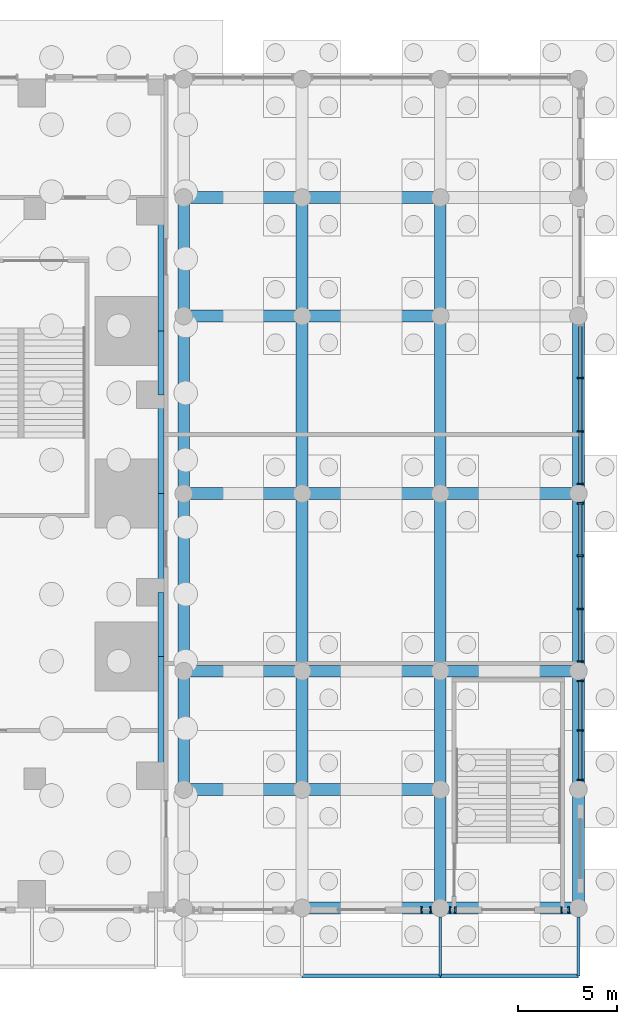
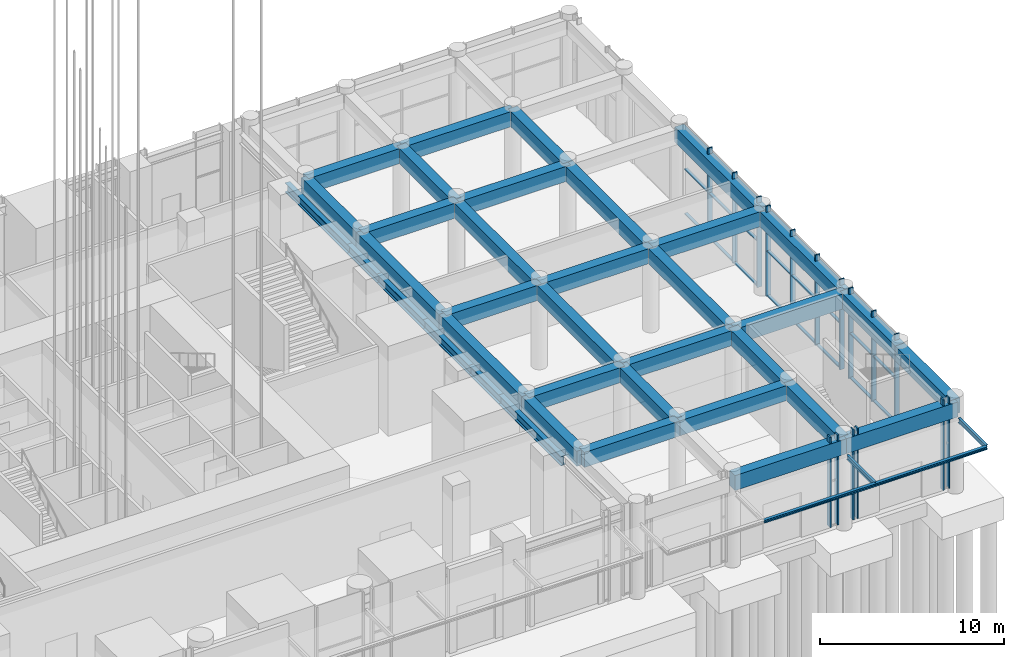
# One storey, part 9 of 46: 41 beams, 32 members, 6 elements without a shape of their own.
"""IFC4 building model written with IfcOpenShell, lengths in metres."""

import ifcopenshell
import ifcopenshell.guid

model = None  # the IFC model being written
_history = None  # IfcOwnerHistory: only IFC2X3 demands one
_inside = {}  # id of a spatial element -> (the spatial element, [elements in it])
_under = {}  # id of a project, library or spatial element -> (it, [spatial elements below it])
_declared = {}  # id of a project -> (the project, [libraries it declares])
_typed = {}  # id of a type object -> (the type object, [elements of that type])
_made_of = {}  # id of a material, layer set ... -> (it, [elements and type objects made of it])


def new_model(schema):
    """Start an empty IFC model of exactly this schema.

    Asked for "IFC4X3", IfcOpenShell would pick the latest addendum, in which some entities
    have other attributes; the version numbers below select the first issue.
    IFC2X3 requires an IfcOwnerHistory on every rooted entity: one is made here for all.
    """
    global model, _history
    if schema == "IFC4X3":
        model = ifcopenshell.file(schema_version=(4, 3, 0, 0))
    else:
        model = ifcopenshell.file(schema=schema)
    _inside.clear()
    _under.clear()
    _declared.clear()
    _typed.clear()
    _made_of.clear()
    _history = None
    if model.schema == "IFC2X3":
        org = make("IfcOrganization", Name="unknown")
        user = make(
            "IfcPersonAndOrganization",
            ThePerson=make("IfcPerson", FamilyName="unknown"),
            TheOrganization=org,
        )
        app = make(
            "IfcApplication",
            ApplicationDeveloper=org,
            Version="unknown",
            ApplicationFullName="unknown",
            ApplicationIdentifier="unknown",
        )
        _history = make(
            "IfcOwnerHistory",
            OwningUser=user,
            OwningApplication=app,
            ChangeAction="ADDED",
            CreationDate=0,
        )
    return model


def make(cls, **values):
    """One entity of the class cls with the attributes given. An attribute that is None is left unset."""
    return model.create_entity(
        cls, **{name: value for name, value in values.items() if value is not None}
    )


def rooted(cls, **values):
    """An entity with a GlobalId (a new one), such as an element, a storey or a relation."""
    return make(cls, GlobalId=ifcopenshell.guid.new(), OwnerHistory=_history, **values)


def si_unit(unit_type, name, prefix=None):
    """IfcSIUnit, for example si_unit("LENGTHUNIT", "METRE", prefix="MILLI")."""
    return make("IfcSIUnit", UnitType=unit_type, Prefix=prefix, Name=name)


def assignment(units):
    """IfcUnitAssignment: the units of a project."""
    return None if units is None else make("IfcUnitAssignment", Units=units)


def point(xyz):
    """IfcCartesianPoint."""
    return None if xyz is None else make("IfcCartesianPoint", Coordinates=xyz)


def direction(xyz):
    """IfcDirection."""
    return None if xyz is None else make("IfcDirection", DirectionRatios=xyz)


def frame(location, z_axis=None, x_axis=None):
    """IfcAxis2Placement3D, a coordinate frame: its origin and axes. An axis left out is left unset."""
    return make(
        "IfcAxis2Placement3D",
        Location=point(location),
        Axis=direction(z_axis),
        RefDirection=direction(x_axis),
    )


def frame_2d(location, x_axis=None):
    """IfcAxis2Placement2D, a coordinate frame in the plane: its origin and x axis."""
    return make(
        "IfcAxis2Placement2D", Location=point(location), RefDirection=direction(x_axis)
    )


def origin():
    """The frame at (0, 0, 0) with its axes left unset."""
    return frame((0.0, 0.0, 0.0))


def origin_2d():
    """The frame at (0, 0) in the plane with its x axis left unset."""
    return frame_2d((0.0, 0.0))


def place(relative_to, where):
    """IfcLocalPlacement: puts the frame where relative to a parent placement (None: the world)."""
    return make(
        "IfcLocalPlacement", PlacementRelTo=relative_to, RelativePlacement=where
    )


def context(
    kind, dimensions, precision=None, world=None, true_north=None, identifier=None
):
    """IfcGeometricRepresentationContext, for example the 3D "Model" context."""
    return make(
        "IfcGeometricRepresentationContext",
        ContextIdentifier=identifier,
        ContextType=kind,
        CoordinateSpaceDimension=dimensions,
        Precision=precision,
        WorldCoordinateSystem=world,
        TrueNorth=true_north,
    )


def subcontext(parent, identifier, kind, view, scale=None):
    """IfcGeometricRepresentationSubContext, for example "Body" below "Model"."""
    return make(
        "IfcGeometricRepresentationSubContext",
        ContextIdentifier=identifier,
        ContextType=kind,
        ParentContext=parent,
        TargetScale=scale,
        TargetView=view,
    )


def project(units=None, contexts=None):
    """IfcProject with its units and contexts."""
    return rooted(
        "IfcProject",
        Name="project",
        RepresentationContexts=contexts,
        UnitsInContext=assignment(units),
    )


def spatial(cls, under=None, at=None, **own):
    """A site, building, storey or space (cls), placed at a placement, below another one or the project."""
    s = rooted(cls, ObjectPlacement=at, **own)
    if under is not None:
        _under.setdefault(under.id(), (under, []))[1].append(s)
    return s


def profile(cls, at=None, kind="AREA", **sizes):
    """A parametric profile (cls). Its sizes go by their IFC names, for example OverallWidth=200.0."""
    return make(cls, ProfileType=kind, Position=at, **sizes)


def rectangle(**sizes):
    """IfcRectangleProfileDef."""
    return profile("IfcRectangleProfileDef", **sizes)


def i_section(**sizes):
    """IfcIShapeProfileDef."""
    return profile("IfcIShapeProfileDef", **sizes)


def extrude(swept, where, along, depth):
    """IfcExtrudedAreaSolid: the profile swept, set in the frame where, extruded along a direction by depth."""
    return make(
        "IfcExtrudedAreaSolid",
        SweptArea=swept,
        Position=where,
        ExtrudedDirection=direction(along),
        Depth=depth,
    )


def shape(context_of_items, identifier, shape_type, items):
    """IfcShapeRepresentation: the items that make up one representation, for example the "Body"."""
    return make(
        "IfcShapeRepresentation",
        ContextOfItems=context_of_items,
        RepresentationIdentifier=identifier,
        RepresentationType=shape_type,
        Items=items,
    )


def material(Name=None, Category=None):
    """IfcMaterial."""
    return make("IfcMaterial", Name=Name, Category=Category)


def material_profile(
    of_material, cross_section, Name=None, Category=None, Priority=None
):
    """IfcMaterialProfile: a cross section and its material."""
    return make(
        "IfcMaterialProfile",
        Name=Name,
        Material=of_material,
        Profile=cross_section,
        Priority=Priority,
        Category=Category,
    )


def profile_set(profiles, Name=None, composite=None):
    """IfcMaterialProfileSet."""
    return make(
        "IfcMaterialProfileSet",
        Name=Name,
        MaterialProfiles=profiles,
        CompositeProfile=composite,
    )


def made_of(thing, what):
    """Note that an element or type object is made of a material, layer set ...; save() writes the relation."""
    if what is not None:
        _made_of.setdefault(what.id(), (what, []))[1].append(thing)
    return thing


def type_object(cls, material=None, **own):
    """A type object (cls), such as IfcWallType, which elements share."""
    return made_of(rooted(cls, **own), material)


def element(
    cls,
    number,
    at=None,
    inside=None,
    cuts=None,
    type_object=None,
    material=None,
    context=None,
    identifier="Body",
    shape_type=None,
    held_by="IfcProductDefinitionShape",
    body=None,
    shapes=None,
    **own,
):
    """One element of the class cls, such as IfcWall. Its Tag is "e" and its number.

    at: its placement. inside: the storey or other place that contains it. cuts: it is an
    opening in that element (IfcRelVoidsElement). A single representation is given by context,
    identifier, shape_type and body (its items); several are given by shapes. held_by: the class
    of the entity that holds the representations. save() writes the other relations.
    """
    e = rooted(cls, Tag="e%d" % number, ObjectPlacement=at, **own)
    if body is not None:
        shapes = [shape(context, identifier, shape_type, body)]
    if shapes is not None:
        e.Representation = make(held_by, Representations=shapes)
    if inside is not None:
        _inside.setdefault(inside.id(), (inside, []))[1].append(e)
    if cuts is not None:
        rooted(
            "IfcRelVoidsElement", RelatingBuildingElement=cuts, RelatedOpeningElement=e
        )
    if type_object is not None:
        _typed.setdefault(type_object.id(), (type_object, []))[1].append(e)
    return made_of(e, material)


def aggregate(whole, parts):
    """IfcRelAggregates: a whole, such as a stair, and the parts it consists of."""
    return rooted("IfcRelAggregates", RelatingObject=whole, RelatedObjects=parts)


def save(model, path):
    """Write the relations noted so far, then the file.

    IfcRelAggregates (storeys below a building ...), IfcRelContainedInSpatialStructure (elements
    in a storey), IfcRelDefinesByType, IfcRelAssociatesMaterial and IfcRelDeclares: one each for
    every whole, place, type object, material and project.
    """
    for whole, parts in _under.values():
        aggregate(whole, parts)
    for where, things in _inside.values():
        rooted(
            "IfcRelContainedInSpatialStructure",
            RelatedElements=things,
            RelatingStructure=where,
        )
    for kind, things in _typed.values():
        rooted("IfcRelDefinesByType", RelatedObjects=things, RelatingType=kind)
    for what, things in _made_of.values():
        rooted("IfcRelAssociatesMaterial", RelatedObjects=things, RelatingMaterial=what)
    for by, libraries in _declared.values():
        rooted("IfcRelDeclares", RelatingContext=by, RelatedDefinitions=libraries)
    model.write(path)


model = new_model("IFC4")

# Units and contexts
model_context = context("Model", 3, precision=1e-05, world=origin(), true_north=direction((0.0, 1.0)))
body_context = subcontext(model_context, "Body", "Model", "MODEL_VIEW")
ifc_project = project(units=[si_unit("LENGTHUNIT", "METRE"), si_unit("AREAUNIT", "SQUARE_METRE"), si_unit("VOLUMEUNIT", "CUBIC_METRE"), si_unit("PLANEANGLEUNIT", "RADIAN"), si_unit("MASSUNIT", "GRAM", prefix="KILO")], contexts=[model_context])

# Site, building, storey
site_placement = place(None, origin())
site = spatial("IfcSite", under=ifc_project, at=site_placement, CompositionType="ELEMENT")
building_placement = place(site_placement, origin())
building = spatial("IfcBuilding", under=site, at=building_placement, Name="Svetlomir Tower", CompositionType="ELEMENT")
storey_placement = place(building_placement, origin())
storey = spatial("IfcBuildingStorey", under=building, at=storey_placement, Name="L00", CompositionType="ELEMENT", Elevation=0.0)

# Beams
ifc_material_1 = material(Name="Steel S355", Category="steel")
ifc_material_profile_1 = material_profile(ifc_material_1, i_section(OverallWidth=0.14990234375, OverallDepth=0.300048828125, WebThickness=0.007080078125, FlangeThickness=0.0107421875, FilletRadius=0.014892578125, at=origin_2d()), Name="IPE 300")
ifc_profile_set_1 = profile_set([ifc_material_profile_1], Name="Steel S355")
beam_type_1 = type_object("IfcBeamType", Name="CANOPY CANTILEVER IPE 300", PredefinedType="BEAM", material=ifc_profile_set_1)
for number, where, z_axis, x_axis, name in (
    (1, (56.0, -0.449951171875, 4.5), (0.0, -1.0, 0.0), (1.0, 0.0, 0.0), "Canopy cantilever 56"),
    (2, (63.0, -0.449951171875, 4.5), (0.0, -1.0, 0.0), (1.0, 0.0, 0.0), "Canopy cantilever 63"),
):
    element("IfcBeam", number, at=place(storey_placement, frame(where, z_axis=z_axis, x_axis=x_axis)), inside=storey, type_object=beam_type_1, Name=name, PredefinedType="BEAM", context=body_context, shape_type="SweptSolid", body=[
        extrude(i_section(OverallWidth=0.14990234375, OverallDepth=0.300048828125, WebThickness=0.007080078125, FlangeThickness=0.0107421875, FilletRadius=0.014892578125, at=origin_2d()), origin(), (0.0, 0.0, 1.0), 3.0),
    ])
ifc_material_2 = material(Name="Steel S355", Category="steel")
ifc_material_profile_2 = material_profile(ifc_material_2, i_section(OverallWidth=0.199951171875, OverallDepth=0.18994140625, WebThickness=0.006591796875, FlangeThickness=0.010009765625, FilletRadius=0.01806640625, at=origin_2d()), Name="HEA 200")
ifc_profile_set_2 = profile_set([ifc_material_profile_2], Name="Steel S355")
beam_type_2 = type_object("IfcBeamType", Name="CANOPY EDGE BEAM HEA 200", PredefinedType="BEAM", material=ifc_profile_set_2)
for number, where, z_axis, x_axis, name in (
    (3, (49.0, -3.449951171875, 4.5), (1.0, 0.0, 0.0), (0.0, 1.0, 0.0), "Canopy edge beam 49 to 56"),
    (4, (56.0, -3.449951171875, 4.5), (1.0, 0.0, 0.0), (0.0, 1.0, 0.0), "Canopy edge beam 56 to 63"),
):
    element("IfcBeam", number, at=place(storey_placement, frame(where, z_axis=z_axis, x_axis=x_axis)), inside=storey, type_object=beam_type_2, Name=name, PredefinedType="BEAM", context=body_context, shape_type="SweptSolid", body=[
        extrude(i_section(OverallWidth=0.199951171875, OverallDepth=0.18994140625, WebThickness=0.006591796875, FlangeThickness=0.010009765625, FilletRadius=0.01806640625, at=origin_2d()), origin(), (0.0, 0.0, 1.0), 7.0),
    ])

# Curtain wall, members
ifc_material_3 = material(Name="Bronze anodised aluminium curtain wall", Category="aluminium")
curtain_wall_type = type_object("IfcCurtainWallType", Name="CURTAIN WALL CW5 PODIUM", PredefinedType="NOTDEFINED", material=ifc_material_3)
curtain_wall_1_placement = place(storey_placement, origin())
curtain_wall_1 = element("IfcCurtainWall", 5, at=curtain_wall_1_placement, inside=storey, type_object=curtain_wall_type, Name="Curtain wall CW5 L00", PredefinedType="NOTDEFINED")
ifc_material_4 = material(Name="Bronze anodised aluminium", Category="aluminium")
ifc_material_profile_3 = material_profile(ifc_material_4, rectangle(XDim=0.080078125, YDim=0.300048828125, at=origin_2d()), Name="AL 80x300")
ifc_profile_set_3 = profile_set([ifc_material_profile_3], Name="Bronze anodised aluminium 6063-T6")
member_type_1 = type_object("IfcMemberType", Name="CW5 MULLION 80x300", PredefinedType="MULLION", material=ifc_profile_set_3)
member_1_placement = place(storey_placement, frame((55.0400390625, -0.10009765625, 0.0), z_axis=(0.0, 0.0, 1.0), x_axis=(1.0, 0.0, 0.0)))
member_1 = element("IfcMember", 6, at=member_1_placement, type_object=member_type_1, Name="CW5 mullion 1", PredefinedType="MULLION", context=body_context, shape_type="SweptSolid", body=[
    extrude(rectangle(XDim=0.080078125, YDim=0.300048828125, at=origin_2d()), origin(), (0.0, 0.0, 1.0), 6.0),
])
member_2_placement = place(storey_placement, frame((55.510009765625, -0.10009765625, 0.0), z_axis=(0.0, 0.0, 1.0), x_axis=(1.0, 0.0, 0.0)))
member_2 = element("IfcMember", 7, at=member_2_placement, type_object=member_type_1, Name="CW5 mullion 2", PredefinedType="MULLION", context=body_context, shape_type="SweptSolid", body=[
    extrude(rectangle(XDim=0.080078125, YDim=0.300048828125, at=origin_2d()), origin(), (0.0, 0.0, 1.0), 6.0),
])
aggregate(curtain_wall_1, [member_1, member_2])

curtain_wall_2_placement = place(storey_placement, origin())
curtain_wall_2 = element("IfcCurtainWall", 8, at=curtain_wall_2_placement, inside=storey, type_object=curtain_wall_type, Name="Curtain wall CW5 L00", PredefinedType="NOTDEFINED")
member_3_placement = place(storey_placement, frame((56.489990234375, -0.10009765625, 0.0), z_axis=(0.0, 0.0, 1.0), x_axis=(1.0, 0.0, 0.0)))
member_3 = element("IfcMember", 9, at=member_3_placement, type_object=member_type_1, Name="CW5 mullion 1", PredefinedType="MULLION", context=body_context, shape_type="SweptSolid", body=[
    extrude(rectangle(XDim=0.080078125, YDim=0.300048828125, at=origin_2d()), origin(), (0.0, 0.0, 1.0), 6.0),
])
member_4_placement = place(storey_placement, frame((56.760009765625, -0.10009765625, 0.0), z_axis=(0.0, 0.0, 1.0), x_axis=(1.0, 0.0, 0.0)))
member_4 = element("IfcMember", 10, at=member_4_placement, type_object=member_type_1, Name="CW5 mullion 2", PredefinedType="MULLION", context=body_context, shape_type="SweptSolid", body=[
    extrude(rectangle(XDim=0.080078125, YDim=0.300048828125, at=origin_2d()), origin(), (0.0, 0.0, 1.0), 6.0),
])
aggregate(curtain_wall_2, [member_3, member_4])

curtain_wall_3_placement = place(storey_placement, origin())
curtain_wall_3 = element("IfcCurtainWall", 11, at=curtain_wall_3_placement, inside=storey, type_object=curtain_wall_type, Name="Curtain wall CW5 L00", PredefinedType="NOTDEFINED")
member_5_placement = place(storey_placement, frame((62.139892578125, -0.10009765625, 0.0), z_axis=(0.0, 0.0, 1.0), x_axis=(1.0, 0.0, 0.0)))
member_5 = element("IfcMember", 12, at=member_5_placement, type_object=member_type_1, Name="CW5 mullion 1", PredefinedType="MULLION", context=body_context, shape_type="SweptSolid", body=[
    extrude(rectangle(XDim=0.080078125, YDim=0.300048828125, at=origin_2d()), origin(), (0.0, 0.0, 1.0), 6.0),
])
member_6_placement = place(storey_placement, frame((62.510009765625, -0.10009765625, 0.0), z_axis=(0.0, 0.0, 1.0), x_axis=(1.0, 0.0, 0.0)))
member_6 = element("IfcMember", 13, at=member_6_placement, type_object=member_type_1, Name="CW5 mullion 2", PredefinedType="MULLION", context=body_context, shape_type="SweptSolid", body=[
    extrude(rectangle(XDim=0.080078125, YDim=0.300048828125, at=origin_2d()), origin(), (0.0, 0.0, 1.0), 6.0),
])
aggregate(curtain_wall_3, [member_5, member_6])

curtain_wall_4_placement = place(storey_placement, origin())
curtain_wall_4 = element("IfcCurtainWall", 14, at=curtain_wall_4_placement, inside=storey, type_object=curtain_wall_type, Name="Curtain wall CW5 L00", PredefinedType="NOTDEFINED")
member_7_placement = place(storey_placement, frame((63.10009765625, 6.489990234375, 0.0), z_axis=(0.0, 0.0, 1.0), x_axis=(0.0, 1.0, 0.0)))
member_7 = element("IfcMember", 15, at=member_7_placement, type_object=member_type_1, Name="CW5 mullion 1", PredefinedType="MULLION", context=body_context, shape_type="SweptSolid", body=[
    extrude(rectangle(XDim=0.080078125, YDim=0.300048828125, at=origin_2d()), origin(), (0.0, 0.0, 1.0), 6.0),
])
member_8_placement = place(storey_placement, frame((63.10009765625, 9.0, 0.0), z_axis=(0.0, 0.0, 1.0), x_axis=(0.0, 1.0, 0.0)))
member_8 = element("IfcMember", 16, at=member_8_placement, type_object=member_type_1, Name="CW5 mullion 2", PredefinedType="MULLION", context=body_context, shape_type="SweptSolid", body=[
    extrude(rectangle(XDim=0.080078125, YDim=0.300048828125, at=origin_2d()), origin(), (0.0, 0.0, 1.0), 6.0),
])
member_9_placement = place(storey_placement, frame((63.10009765625, 11.510009765625, 0.0), z_axis=(0.0, 0.0, 1.0), x_axis=(0.0, 1.0, 0.0)))
member_9 = element("IfcMember", 17, at=member_9_placement, type_object=member_type_1, Name="CW5 mullion 3", PredefinedType="MULLION", context=body_context, shape_type="SweptSolid", body=[
    extrude(rectangle(XDim=0.080078125, YDim=0.300048828125, at=origin_2d()), origin(), (0.0, 0.0, 1.0), 6.0),
])

curtain_wall_5_placement = place(storey_placement, origin())
curtain_wall_5 = element("IfcCurtainWall", 18, at=curtain_wall_5_placement, inside=storey, type_object=curtain_wall_type, Name="Curtain wall CW5 L00", PredefinedType="NOTDEFINED")
member_10_placement = place(storey_placement, frame((63.10009765625, 12.489990234375, 0.0), z_axis=(0.0, 0.0, 1.0), x_axis=(0.0, 1.0, 0.0)))
member_10 = element("IfcMember", 19, at=member_10_placement, type_object=member_type_1, Name="CW5 mullion 1", PredefinedType="MULLION", context=body_context, shape_type="SweptSolid", body=[
    extrude(rectangle(XDim=0.080078125, YDim=0.300048828125, at=origin_2d()), origin(), (0.0, 0.0, 1.0), 6.0),
])
member_11_placement = place(storey_placement, frame((63.10009765625, 15.14990234375, 0.0), z_axis=(0.0, 0.0, 1.0), x_axis=(0.0, 1.0, 0.0)))
member_11 = element("IfcMember", 20, at=member_11_placement, type_object=member_type_1, Name="CW5 mullion 2", PredefinedType="MULLION", context=body_context, shape_type="SweptSolid", body=[
    extrude(rectangle(XDim=0.080078125, YDim=0.300048828125, at=origin_2d()), origin(), (0.0, 0.0, 1.0), 6.0),
])
member_12_placement = place(storey_placement, frame((63.10009765625, 17.85009765625, 0.0), z_axis=(0.0, 0.0, 1.0), x_axis=(0.0, 1.0, 0.0)))
member_12 = element("IfcMember", 21, at=member_12_placement, type_object=member_type_1, Name="CW5 mullion 3", PredefinedType="MULLION", context=body_context, shape_type="SweptSolid", body=[
    extrude(rectangle(XDim=0.080078125, YDim=0.300048828125, at=origin_2d()), origin(), (0.0, 0.0, 1.0), 6.0),
])
member_13_placement = place(storey_placement, frame((63.10009765625, 20.510009765625, 0.0), z_axis=(0.0, 0.0, 1.0), x_axis=(0.0, 1.0, 0.0)))
member_13 = element("IfcMember", 22, at=member_13_placement, type_object=member_type_1, Name="CW5 mullion 4", PredefinedType="MULLION", context=body_context, shape_type="SweptSolid", body=[
    extrude(rectangle(XDim=0.080078125, YDim=0.300048828125, at=origin_2d()), origin(), (0.0, 0.0, 1.0), 6.0),
])

curtain_wall_6_placement = place(storey_placement, origin())
curtain_wall_6 = element("IfcCurtainWall", 23, at=curtain_wall_6_placement, inside=storey, type_object=curtain_wall_type, Name="Curtain wall CW5 L00", PredefinedType="NOTDEFINED")
member_14_placement = place(storey_placement, frame((63.10009765625, 21.489990234375, 0.0), z_axis=(0.0, 0.0, 1.0), x_axis=(0.0, 1.0, 0.0)))
member_14 = element("IfcMember", 24, at=member_14_placement, type_object=member_type_1, Name="CW5 mullion 1", PredefinedType="MULLION", context=body_context, shape_type="SweptSolid", body=[
    extrude(rectangle(XDim=0.080078125, YDim=0.300048828125, at=origin_2d()), origin(), (0.0, 0.0, 1.0), 6.0),
])
member_15_placement = place(storey_placement, frame((63.10009765625, 24.14990234375, 0.0), z_axis=(0.0, 0.0, 1.0), x_axis=(0.0, 1.0, 0.0)))
member_15 = element("IfcMember", 25, at=member_15_placement, type_object=member_type_1, Name="CW5 mullion 2", PredefinedType="MULLION", context=body_context, shape_type="SweptSolid", body=[
    extrude(rectangle(XDim=0.080078125, YDim=0.300048828125, at=origin_2d()), origin(), (0.0, 0.0, 1.0), 6.0),
])
member_16_placement = place(storey_placement, frame((63.10009765625, 26.85009765625, 0.0), z_axis=(0.0, 0.0, 1.0), x_axis=(0.0, 1.0, 0.0)))
member_16 = element("IfcMember", 26, at=member_16_placement, type_object=member_type_1, Name="CW5 mullion 3", PredefinedType="MULLION", context=body_context, shape_type="SweptSolid", body=[
    extrude(rectangle(XDim=0.080078125, YDim=0.300048828125, at=origin_2d()), origin(), (0.0, 0.0, 1.0), 6.0),
])

# Member
ifc_material_5 = material(Name="Bronze anodised aluminium", Category="aluminium")
ifc_material_profile_4 = material_profile(ifc_material_5, rectangle(XDim=0.179931640625, YDim=0.080078125, at=origin_2d()), Name="AL 180x80")
ifc_profile_set_4 = profile_set([ifc_material_profile_4], Name="Bronze anodised aluminium 6063-T6")
member_type_2 = type_object("IfcMemberType", Name="CW5 TRANSOM 80x180", PredefinedType="USERDEFINED", material=ifc_profile_set_4)
member_17_placement = place(storey_placement, frame((63.10009765625, 6.530029296875, 0.0400390625), z_axis=(0.0, 1.0, 0.0), x_axis=(-1.0, 0.0, 0.0)))
member_17 = element("IfcMember", 27, at=member_17_placement, type_object=member_type_2, Name="CW5 transom 1.1", ObjectType="TRANSOM", PredefinedType="USERDEFINED", context=body_context, shape_type="SweptSolid", body=[
    extrude(rectangle(XDim=0.179931640625, YDim=0.080078125, at=origin_2d()), origin(), (0.0, 0.0, 1.0), 2.429931640625),
])

member_18_placement = place(storey_placement, frame((63.10009765625, 6.530029296875, 3.0), z_axis=(0.0, 1.0, 0.0), x_axis=(-1.0, 0.0, 0.0)))
member_18 = element("IfcMember", 28, at=member_18_placement, type_object=member_type_2, Name="CW5 transom 1.2", ObjectType="TRANSOM", PredefinedType="USERDEFINED", context=body_context, shape_type="SweptSolid", body=[
    extrude(rectangle(XDim=0.179931640625, YDim=0.080078125, at=origin_2d()), origin(), (0.0, 0.0, 1.0), 2.429931640625),
])

member_19_placement = place(storey_placement, frame((63.10009765625, 9.0400390625, 0.0400390625), z_axis=(0.0, 1.0, 0.0), x_axis=(-1.0, 0.0, 0.0)))
member_19 = element("IfcMember", 29, at=member_19_placement, type_object=member_type_2, Name="CW5 transom 2.1", ObjectType="TRANSOM", PredefinedType="USERDEFINED", context=body_context, shape_type="SweptSolid", body=[
    extrude(rectangle(XDim=0.179931640625, YDim=0.080078125, at=origin_2d()), origin(), (0.0, 0.0, 1.0), 2.429931640625),
])

member_20_placement = place(storey_placement, frame((63.10009765625, 9.0400390625, 3.0), z_axis=(0.0, 1.0, 0.0), x_axis=(-1.0, 0.0, 0.0)))
member_20 = element("IfcMember", 30, at=member_20_placement, type_object=member_type_2, Name="CW5 transom 2.2", ObjectType="TRANSOM", PredefinedType="USERDEFINED", context=body_context, shape_type="SweptSolid", body=[
    extrude(rectangle(XDim=0.179931640625, YDim=0.080078125, at=origin_2d()), origin(), (0.0, 0.0, 1.0), 2.429931640625),
])

aggregate(curtain_wall_4, [member_7, member_8, member_9, member_17, member_18, member_19, member_20])

member_21_placement = place(storey_placement, frame((63.10009765625, 12.530029296875, 0.0400390625), z_axis=(0.0, 1.0, 0.0), x_axis=(-1.0, 0.0, 0.0)))
member_21 = element("IfcMember", 31, at=member_21_placement, type_object=member_type_2, Name="CW5 transom 1.1", ObjectType="TRANSOM", PredefinedType="USERDEFINED", context=body_context, shape_type="SweptSolid", body=[
    extrude(rectangle(XDim=0.179931640625, YDim=0.080078125, at=origin_2d()), origin(), (0.0, 0.0, 1.0), 2.580078125),
])

member_22_placement = place(storey_placement, frame((63.10009765625, 12.530029296875, 3.0), z_axis=(0.0, 1.0, 0.0), x_axis=(-1.0, 0.0, 0.0)))
member_22 = element("IfcMember", 32, at=member_22_placement, type_object=member_type_2, Name="CW5 transom 1.2", ObjectType="TRANSOM", PredefinedType="USERDEFINED", context=body_context, shape_type="SweptSolid", body=[
    extrude(rectangle(XDim=0.179931640625, YDim=0.080078125, at=origin_2d()), origin(), (0.0, 0.0, 1.0), 2.580078125),
])

member_23_placement = place(storey_placement, frame((63.10009765625, 15.18994140625, 0.0400390625), z_axis=(0.0, 1.0, 0.0), x_axis=(-1.0, 0.0, 0.0)))
member_23 = element("IfcMember", 33, at=member_23_placement, type_object=member_type_2, Name="CW5 transom 2.1", ObjectType="TRANSOM", PredefinedType="USERDEFINED", context=body_context, shape_type="SweptSolid", body=[
    extrude(rectangle(XDim=0.179931640625, YDim=0.080078125, at=origin_2d()), origin(), (0.0, 0.0, 1.0), 2.6201171875),
])

member_24_placement = place(storey_placement, frame((63.10009765625, 15.18994140625, 3.0), z_axis=(0.0, 1.0, 0.0), x_axis=(-1.0, 0.0, 0.0)))
member_24 = element("IfcMember", 34, at=member_24_placement, type_object=member_type_2, Name="CW5 transom 2.2", ObjectType="TRANSOM", PredefinedType="USERDEFINED", context=body_context, shape_type="SweptSolid", body=[
    extrude(rectangle(XDim=0.179931640625, YDim=0.080078125, at=origin_2d()), origin(), (0.0, 0.0, 1.0), 2.6201171875),
])

member_25_placement = place(storey_placement, frame((63.10009765625, 17.889892578125, 0.0400390625), z_axis=(0.0, 1.0, 0.0), x_axis=(-1.0, 0.0, 0.0)))
member_25 = element("IfcMember", 35, at=member_25_placement, type_object=member_type_2, Name="CW5 transom 3.1", ObjectType="TRANSOM", PredefinedType="USERDEFINED", context=body_context, shape_type="SweptSolid", body=[
    extrude(rectangle(XDim=0.179931640625, YDim=0.080078125, at=origin_2d()), origin(), (0.0, 0.0, 1.0), 2.580078125),
])

member_26_placement = place(storey_placement, frame((63.10009765625, 17.889892578125, 3.0), z_axis=(0.0, 1.0, 0.0), x_axis=(-1.0, 0.0, 0.0)))
member_26 = element("IfcMember", 36, at=member_26_placement, type_object=member_type_2, Name="CW5 transom 3.2", ObjectType="TRANSOM", PredefinedType="USERDEFINED", context=body_context, shape_type="SweptSolid", body=[
    extrude(rectangle(XDim=0.179931640625, YDim=0.080078125, at=origin_2d()), origin(), (0.0, 0.0, 1.0), 2.580078125),
])

aggregate(curtain_wall_5, [member_10, member_11, member_12, member_13, member_21, member_22, member_23, member_24, member_25, member_26])

member_27_placement = place(storey_placement, frame((63.10009765625, 21.530029296875, 0.0400390625), z_axis=(0.0, 1.0, 0.0), x_axis=(-1.0, 0.0, 0.0)))
member_27 = element("IfcMember", 37, at=member_27_placement, type_object=member_type_2, Name="CW5 transom 1.1", ObjectType="TRANSOM", PredefinedType="USERDEFINED", context=body_context, shape_type="SweptSolid", body=[
    extrude(rectangle(XDim=0.179931640625, YDim=0.080078125, at=origin_2d()), origin(), (0.0, 0.0, 1.0), 2.580078125),
])

member_28_placement = place(storey_placement, frame((63.10009765625, 21.530029296875, 3.0), z_axis=(0.0, 1.0, 0.0), x_axis=(-1.0, 0.0, 0.0)))
member_28 = element("IfcMember", 38, at=member_28_placement, type_object=member_type_2, Name="CW5 transom 1.2", ObjectType="TRANSOM", PredefinedType="USERDEFINED", context=body_context, shape_type="SweptSolid", body=[
    extrude(rectangle(XDim=0.179931640625, YDim=0.080078125, at=origin_2d()), origin(), (0.0, 0.0, 1.0), 2.580078125),
])

member_29_placement = place(storey_placement, frame((63.10009765625, 24.18994140625, 0.0400390625), z_axis=(0.0, 1.0, 0.0), x_axis=(-1.0, 0.0, 0.0)))
member_29 = element("IfcMember", 39, at=member_29_placement, type_object=member_type_2, Name="CW5 transom 2.1", ObjectType="TRANSOM", PredefinedType="USERDEFINED", context=body_context, shape_type="SweptSolid", body=[
    extrude(rectangle(XDim=0.179931640625, YDim=0.080078125, at=origin_2d()), origin(), (0.0, 0.0, 1.0), 2.6201171875),
])

member_30_placement = place(storey_placement, frame((63.10009765625, 24.18994140625, 3.0), z_axis=(0.0, 1.0, 0.0), x_axis=(-1.0, 0.0, 0.0)))
member_30 = element("IfcMember", 40, at=member_30_placement, type_object=member_type_2, Name="CW5 transom 2.2", ObjectType="TRANSOM", PredefinedType="USERDEFINED", context=body_context, shape_type="SweptSolid", body=[
    extrude(rectangle(XDim=0.179931640625, YDim=0.080078125, at=origin_2d()), origin(), (0.0, 0.0, 1.0), 2.6201171875),
])

member_31_placement = place(storey_placement, frame((63.10009765625, 26.889892578125, 0.0400390625), z_axis=(0.0, 1.0, 0.0), x_axis=(-1.0, 0.0, 0.0)))
member_31 = element("IfcMember", 41, at=member_31_placement, type_object=member_type_2, Name="CW5 transom 3.1", ObjectType="TRANSOM", PredefinedType="USERDEFINED", context=body_context, shape_type="SweptSolid", body=[
    extrude(rectangle(XDim=0.179931640625, YDim=0.080078125, at=origin_2d()), origin(), (0.0, 0.0, 1.0), 2.580078125),
])

member_32_placement = place(storey_placement, frame((63.10009765625, 26.889892578125, 3.0), z_axis=(0.0, 1.0, 0.0), x_axis=(-1.0, 0.0, 0.0)))
member_32 = element("IfcMember", 42, at=member_32_placement, type_object=member_type_2, Name="CW5 transom 3.2", ObjectType="TRANSOM", PredefinedType="USERDEFINED", context=body_context, shape_type="SweptSolid", body=[
    extrude(rectangle(XDim=0.179931640625, YDim=0.080078125, at=origin_2d()), origin(), (0.0, 0.0, 1.0), 2.580078125),
])

aggregate(curtain_wall_6, [member_14, member_15, member_16, member_27, member_28, member_29, member_30, member_31, member_32])

# Beams
ifc_material_6 = material(Name="Concrete C60/75", Category="concrete")
ifc_material_profile_5 = material_profile(ifc_material_6, rectangle(XDim=0.60009765625, YDim=1.0, at=origin_2d()), Name="RC 600x1000")
ifc_profile_set_5 = profile_set([ifc_material_profile_5], Name="Concrete C60/75")
beam_type_3 = type_object("IfcBeamType", Name="PODIUM BEAM RC 600x1000", PredefinedType="BEAM", material=ifc_profile_set_5)
for number, where, z_axis, x_axis, name in (
    (43, (43.0, 6.0, 5.10009765625), (0.0, 1.0, 0.0), (-1.0, 0.0, 0.0), "Podium beam 43/6 to 43/12 under L01"),
    (44, (43.0, 6.0, 5.10009765625), (1.0, 0.0, 0.0), (0.0, 1.0, 0.0), "Podium beam 43/6 to 49/6 under L01"),
):
    element("IfcBeam", number, at=place(storey_placement, frame(where, z_axis=z_axis, x_axis=x_axis)), inside=storey, type_object=beam_type_3, Name=name, PredefinedType="BEAM", context=body_context, shape_type="SweptSolid", body=[
        extrude(rectangle(XDim=0.60009765625, YDim=1.0, at=origin_2d()), origin(), (0.0, 0.0, 1.0), 6.0),
    ])
beam_1_placement = place(storey_placement, frame((43.0, 12.0, 5.10009765625), z_axis=(0.0, 1.0, 0.0), x_axis=(-1.0, 0.0, 0.0)))
element("IfcBeam", 45, at=beam_1_placement, inside=storey, type_object=beam_type_3, Name="Podium beam 43/12 to 43/21 under L01", PredefinedType="BEAM", context=body_context, shape_type="SweptSolid", body=[
    extrude(rectangle(XDim=0.60009765625, YDim=1.0, at=origin_2d()), origin(), (0.0, 0.0, 1.0), 9.0),
])
beam_2_placement = place(storey_placement, frame((43.0, 12.0, 5.10009765625), z_axis=(1.0, 0.0, 0.0), x_axis=(0.0, 1.0, 0.0)))
element("IfcBeam", 46, at=beam_2_placement, inside=storey, type_object=beam_type_3, Name="Podium beam 43/12 to 49/12 under L01", PredefinedType="BEAM", context=body_context, shape_type="SweptSolid", body=[
    extrude(rectangle(XDim=0.60009765625, YDim=1.0, at=origin_2d()), origin(), (0.0, 0.0, 1.0), 6.0),
])
beam_3_placement = place(storey_placement, frame((43.0, 21.0, 5.10009765625), z_axis=(0.0, 1.0, 0.0), x_axis=(-1.0, 0.0, 0.0)))
element("IfcBeam", 47, at=beam_3_placement, inside=storey, type_object=beam_type_3, Name="Podium beam 43/21 to 43/30 under L01", PredefinedType="BEAM", context=body_context, shape_type="SweptSolid", body=[
    extrude(rectangle(XDim=0.60009765625, YDim=1.0, at=origin_2d()), origin(), (0.0, 0.0, 1.0), 9.0),
])
for number, where, z_axis, x_axis, name in (
    (48, (43.0, 21.0, 5.10009765625), (1.0, 0.0, 0.0), (0.0, 1.0, 0.0), "Podium beam 43/21 to 49/21 under L01"),
    (49, (43.0, 30.0, 5.10009765625), (0.0, 1.0, 0.0), (-1.0, 0.0, 0.0), "Podium beam 43/30 to 43/36 under L01"),
    (50, (43.0, 30.0, 5.10009765625), (1.0, 0.0, 0.0), (0.0, 1.0, 0.0), "Podium beam 43/30 to 49/30 under L01"),
    (51, (43.0, 36.0, 5.10009765625), (1.0, 0.0, 0.0), (0.0, 1.0, 0.0), "Podium beam 43/36 to 49/36 under L01"),
):
    element("IfcBeam", number, at=place(storey_placement, frame(where, z_axis=z_axis, x_axis=x_axis)), inside=storey, type_object=beam_type_3, Name=name, PredefinedType="BEAM", context=body_context, shape_type="SweptSolid", body=[
        extrude(rectangle(XDim=0.60009765625, YDim=1.0, at=origin_2d()), origin(), (0.0, 0.0, 1.0), 6.0),
    ])
beam_4_placement = place(storey_placement, frame((49.0, 0.0, 5.10009765625), z_axis=(1.0, 0.0, 0.0), x_axis=(0.0, 1.0, 0.0)))
element("IfcBeam", 52, at=beam_4_placement, inside=storey, type_object=beam_type_3, Name="Podium beam 49/0 to 56/0 under L01", PredefinedType="BEAM", context=body_context, shape_type="SweptSolid", body=[
    extrude(rectangle(XDim=0.60009765625, YDim=1.0, at=origin_2d()), origin(), (0.0, 0.0, 1.0), 7.0),
])
beam_5_placement = place(storey_placement, frame((49.0, 6.0, 5.10009765625), z_axis=(0.0, 1.0, 0.0), x_axis=(-1.0, 0.0, 0.0)))
element("IfcBeam", 53, at=beam_5_placement, inside=storey, type_object=beam_type_3, Name="Podium beam 49/6 to 49/12 under L01", PredefinedType="BEAM", context=body_context, shape_type="SweptSolid", body=[
    extrude(rectangle(XDim=0.60009765625, YDim=1.0, at=origin_2d()), origin(), (0.0, 0.0, 1.0), 6.0),
])
beam_6_placement = place(storey_placement, frame((49.0, 6.0, 5.10009765625), z_axis=(1.0, 0.0, 0.0), x_axis=(0.0, 1.0, 0.0)))
element("IfcBeam", 54, at=beam_6_placement, inside=storey, type_object=beam_type_3, Name="Podium beam 49/6 to 56/6 under L01", PredefinedType="BEAM", context=body_context, shape_type="SweptSolid", body=[
    extrude(rectangle(XDim=0.60009765625, YDim=1.0, at=origin_2d()), origin(), (0.0, 0.0, 1.0), 7.0),
])
beam_7_placement = place(storey_placement, frame((49.0, 12.0, 5.10009765625), z_axis=(0.0, 1.0, 0.0), x_axis=(-1.0, 0.0, 0.0)))
element("IfcBeam", 55, at=beam_7_placement, inside=storey, type_object=beam_type_3, Name="Podium beam 49/12 to 49/21 under L01", PredefinedType="BEAM", context=body_context, shape_type="SweptSolid", body=[
    extrude(rectangle(XDim=0.60009765625, YDim=1.0, at=origin_2d()), origin(), (0.0, 0.0, 1.0), 9.0),
])
beam_8_placement = place(storey_placement, frame((49.0, 12.0, 5.10009765625), z_axis=(1.0, 0.0, 0.0), x_axis=(0.0, 1.0, 0.0)))
element("IfcBeam", 56, at=beam_8_placement, inside=storey, type_object=beam_type_3, Name="Podium beam 49/12 to 56/12 under L01", PredefinedType="BEAM", context=body_context, shape_type="SweptSolid", body=[
    extrude(rectangle(XDim=0.60009765625, YDim=1.0, at=origin_2d()), origin(), (0.0, 0.0, 1.0), 7.0),
])
beam_9_placement = place(storey_placement, frame((49.0, 21.0, 5.10009765625), z_axis=(0.0, 1.0, 0.0), x_axis=(-1.0, 0.0, 0.0)))
element("IfcBeam", 57, at=beam_9_placement, inside=storey, type_object=beam_type_3, Name="Podium beam 49/21 to 49/30 under L01", PredefinedType="BEAM", context=body_context, shape_type="SweptSolid", body=[
    extrude(rectangle(XDim=0.60009765625, YDim=1.0, at=origin_2d()), origin(), (0.0, 0.0, 1.0), 9.0),
])
beam_10_placement = place(storey_placement, frame((49.0, 21.0, 5.10009765625), z_axis=(1.0, 0.0, 0.0), x_axis=(0.0, 1.0, 0.0)))
element("IfcBeam", 58, at=beam_10_placement, inside=storey, type_object=beam_type_3, Name="Podium beam 49/21 to 56/21 under L01", PredefinedType="BEAM", context=body_context, shape_type="SweptSolid", body=[
    extrude(rectangle(XDim=0.60009765625, YDim=1.0, at=origin_2d()), origin(), (0.0, 0.0, 1.0), 7.0),
])
beam_11_placement = place(storey_placement, frame((49.0, 30.0, 5.10009765625), z_axis=(0.0, 1.0, 0.0), x_axis=(-1.0, 0.0, 0.0)))
element("IfcBeam", 59, at=beam_11_placement, inside=storey, type_object=beam_type_3, Name="Podium beam 49/30 to 49/36 under L01", PredefinedType="BEAM", context=body_context, shape_type="SweptSolid", body=[
    extrude(rectangle(XDim=0.60009765625, YDim=1.0, at=origin_2d()), origin(), (0.0, 0.0, 1.0), 6.0),
])
for number, where, z_axis, x_axis, name in (
    (60, (49.0, 30.0, 5.10009765625), (1.0, 0.0, 0.0), (0.0, 1.0, 0.0), "Podium beam 49/30 to 56/30 under L01"),
    (61, (49.0, 36.0, 5.10009765625), (1.0, 0.0, 0.0), (0.0, 1.0, 0.0), "Podium beam 49/36 to 56/36 under L01"),
):
    element("IfcBeam", number, at=place(storey_placement, frame(where, z_axis=z_axis, x_axis=x_axis)), inside=storey, type_object=beam_type_3, Name=name, PredefinedType="BEAM", context=body_context, shape_type="SweptSolid", body=[
        extrude(rectangle(XDim=0.60009765625, YDim=1.0, at=origin_2d()), origin(), (0.0, 0.0, 1.0), 7.0),
    ])
beam_12_placement = place(storey_placement, frame((56.0, 0.0, 5.10009765625), z_axis=(0.0, 1.0, 0.0), x_axis=(-1.0, 0.0, 0.0)))
element("IfcBeam", 62, at=beam_12_placement, inside=storey, type_object=beam_type_3, Name="Podium beam 56/0 to 56/6 under L01", PredefinedType="BEAM", context=body_context, shape_type="SweptSolid", body=[
    extrude(rectangle(XDim=0.60009765625, YDim=1.0, at=origin_2d()), origin(), (0.0, 0.0, 1.0), 6.0),
])
beam_13_placement = place(storey_placement, frame((56.0, 0.0, 5.10009765625), z_axis=(1.0, 0.0, 0.0), x_axis=(0.0, 1.0, 0.0)))
element("IfcBeam", 63, at=beam_13_placement, inside=storey, type_object=beam_type_3, Name="Podium beam 56/0 to 63/0 under L01", PredefinedType="BEAM", context=body_context, shape_type="SweptSolid", body=[
    extrude(rectangle(XDim=0.60009765625, YDim=1.0, at=origin_2d()), origin(), (0.0, 0.0, 1.0), 7.0),
])
beam_14_placement = place(storey_placement, frame((56.0, 6.0, 5.10009765625), z_axis=(0.0, 1.0, 0.0), x_axis=(-1.0, 0.0, 0.0)))
element("IfcBeam", 64, at=beam_14_placement, inside=storey, type_object=beam_type_3, Name="Podium beam 56/6 to 56/12 under L01", PredefinedType="BEAM", context=body_context, shape_type="SweptSolid", body=[
    extrude(rectangle(XDim=0.60009765625, YDim=1.0, at=origin_2d()), origin(), (0.0, 0.0, 1.0), 6.0),
])
beam_15_placement = place(storey_placement, frame((56.0, 12.0, 5.10009765625), z_axis=(0.0, 1.0, 0.0), x_axis=(-1.0, 0.0, 0.0)))
element("IfcBeam", 65, at=beam_15_placement, inside=storey, type_object=beam_type_3, Name="Podium beam 56/12 to 56/21 under L01", PredefinedType="BEAM", context=body_context, shape_type="SweptSolid", body=[
    extrude(rectangle(XDim=0.60009765625, YDim=1.0, at=origin_2d()), origin(), (0.0, 0.0, 1.0), 9.0),
])
beam_16_placement = place(storey_placement, frame((56.0, 12.0, 5.10009765625), z_axis=(1.0, 0.0, 0.0), x_axis=(0.0, 1.0, 0.0)))
element("IfcBeam", 66, at=beam_16_placement, inside=storey, type_object=beam_type_3, Name="Podium beam 56/12 to 63/12 under L01", PredefinedType="BEAM", context=body_context, shape_type="SweptSolid", body=[
    extrude(rectangle(XDim=0.60009765625, YDim=1.0, at=origin_2d()), origin(), (0.0, 0.0, 1.0), 7.0),
])
beam_17_placement = place(storey_placement, frame((56.0, 21.0, 5.10009765625), z_axis=(0.0, 1.0, 0.0), x_axis=(-1.0, 0.0, 0.0)))
element("IfcBeam", 67, at=beam_17_placement, inside=storey, type_object=beam_type_3, Name="Podium beam 56/21 to 56/30 under L01", PredefinedType="BEAM", context=body_context, shape_type="SweptSolid", body=[
    extrude(rectangle(XDim=0.60009765625, YDim=1.0, at=origin_2d()), origin(), (0.0, 0.0, 1.0), 9.0),
])
beam_18_placement = place(storey_placement, frame((56.0, 21.0, 5.10009765625), z_axis=(1.0, 0.0, 0.0), x_axis=(0.0, 1.0, 0.0)))
element("IfcBeam", 68, at=beam_18_placement, inside=storey, type_object=beam_type_3, Name="Podium beam 56/21 to 63/21 under L01", PredefinedType="BEAM", context=body_context, shape_type="SweptSolid", body=[
    extrude(rectangle(XDim=0.60009765625, YDim=1.0, at=origin_2d()), origin(), (0.0, 0.0, 1.0), 7.0),
])
for number, where, z_axis, x_axis, name in (
    (69, (56.0, 30.0, 5.10009765625), (0.0, 1.0, 0.0), (-1.0, 0.0, 0.0), "Podium beam 56/30 to 56/36 under L01"),
    (70, (63.0, 0.0, 5.10009765625), (0.0, 1.0, 0.0), (-1.0, 0.0, 0.0), "Podium beam 63/0 to 63/6 under L01"),
    (71, (63.0, 6.0, 5.10009765625), (0.0, 1.0, 0.0), (-1.0, 0.0, 0.0), "Podium beam 63/6 to 63/12 under L01"),
):
    element("IfcBeam", number, at=place(storey_placement, frame(where, z_axis=z_axis, x_axis=x_axis)), inside=storey, type_object=beam_type_3, Name=name, PredefinedType="BEAM", context=body_context, shape_type="SweptSolid", body=[
        extrude(rectangle(XDim=0.60009765625, YDim=1.0, at=origin_2d()), origin(), (0.0, 0.0, 1.0), 6.0),
    ])
for number, where, z_axis, x_axis, name in (
    (72, (63.0, 12.0, 5.10009765625), (0.0, 1.0, 0.0), (-1.0, 0.0, 0.0), "Podium beam 63/12 to 63/21 under L01"),
    (73, (63.0, 21.0, 5.10009765625), (0.0, 1.0, 0.0), (-1.0, 0.0, 0.0), "Podium beam 63/21 to 63/30 under L01"),
):
    element("IfcBeam", number, at=place(storey_placement, frame(where, z_axis=z_axis, x_axis=x_axis)), inside=storey, type_object=beam_type_3, Name=name, PredefinedType="BEAM", context=body_context, shape_type="SweptSolid", body=[
        extrude(rectangle(XDim=0.60009765625, YDim=1.0, at=origin_2d()), origin(), (0.0, 0.0, 1.0), 9.0),
    ])
ifc_material_7 = material(Name="Steel S355", Category="steel")
ifc_material_profile_6 = material_profile(ifc_material_7, i_section(OverallWidth=0.304931640625, OverallDepth=0.6201171875, WebThickness=0.02099609375, FlangeThickness=0.0400390625, FilletRadius=0.027099609375, at=origin_2d()), Name="HEM 600")
ifc_profile_set_6 = profile_set([ifc_material_profile_6], Name="Steel S355")
beam_type_4 = type_object("IfcBeamType", Name="PODIUM EDGE BEAM HEM 600", PredefinedType="BEAM", material=ifc_profile_set_6)
beam_19_placement = place(storey_placement, frame((41.847412109375, 6.0, 5.2900390625), z_axis=(0.0, 1.0, 0.0), x_axis=(-1.0, 0.0, 0.0)))
element("IfcBeam", 74, at=beam_19_placement, inside=storey, type_object=beam_type_4, Name="Podium beam 42/6 to 42/11 under L01", PredefinedType="BEAM", context=body_context, shape_type="SweptSolid", body=[
    extrude(i_section(OverallWidth=0.304931640625, OverallDepth=0.6201171875, WebThickness=0.02099609375, FlangeThickness=0.0400390625, FilletRadius=0.027099609375, at=origin_2d()), origin(), (0.0, 0.0, 1.0), 6.75),
])
beam_20_placement = place(storey_placement, frame((41.847412109375, 12.75, 5.2900390625), z_axis=(0.0, 1.0, 0.0), x_axis=(-1.0, 0.0, 0.0)))
element("IfcBeam", 75, at=beam_20_placement, inside=storey, type_object=beam_type_4, Name="Podium beam 42/11 to 42/16 under L01", PredefinedType="BEAM", context=body_context, shape_type="SweptSolid", body=[
    extrude(i_section(OverallWidth=0.304931640625, OverallDepth=0.6201171875, WebThickness=0.02099609375, FlangeThickness=0.0400390625, FilletRadius=0.027099609375, at=origin_2d()), origin(), (0.0, 0.0, 1.0), 3.25),
])
for number, where, z_axis, x_axis, name in (
    (76, (41.847412109375, 16.0, 5.2900390625), (0.0, 1.0, 0.0), (-1.0, 0.0, 0.0), "Podium beam 42/16 to 42/21 under L01"),
    (77, (41.847412109375, 21.0, 5.2900390625), (0.0, 1.0, 0.0), (-1.0, 0.0, 0.0), "Podium beam 42/21 to 42/26 under L01"),
):
    element("IfcBeam", number, at=place(storey_placement, frame(where, z_axis=z_axis, x_axis=x_axis)), inside=storey, type_object=beam_type_4, Name=name, PredefinedType="BEAM", context=body_context, shape_type="SweptSolid", body=[
        extrude(i_section(OverallWidth=0.304931640625, OverallDepth=0.6201171875, WebThickness=0.02099609375, FlangeThickness=0.0400390625, FilletRadius=0.027099609375, at=origin_2d()), origin(), (0.0, 0.0, 1.0), 5.0),
    ])
beam_21_placement = place(storey_placement, frame((41.847412109375, 26.0, 5.2900390625), z_axis=(0.0, 1.0, 0.0), x_axis=(-1.0, 0.0, 0.0)))
element("IfcBeam", 78, at=beam_21_placement, inside=storey, type_object=beam_type_4, Name="Podium beam 42/26 to 42/31 under L01", PredefinedType="BEAM", context=body_context, shape_type="SweptSolid", body=[
    extrude(i_section(OverallWidth=0.304931640625, OverallDepth=0.6201171875, WebThickness=0.02099609375, FlangeThickness=0.0400390625, FilletRadius=0.027099609375, at=origin_2d()), origin(), (0.0, 0.0, 1.0), 3.25),
])
beam_22_placement = place(storey_placement, frame((41.847412109375, 29.25, 5.2900390625), z_axis=(0.0, 1.0, 0.0), x_axis=(-1.0, 0.0, 0.0)))
element("IfcBeam", 79, at=beam_22_placement, inside=storey, type_object=beam_type_4, Name="Podium beam 42/31 to 42/36 under L01", PredefinedType="BEAM", context=body_context, shape_type="SweptSolid", body=[
    extrude(i_section(OverallWidth=0.304931640625, OverallDepth=0.6201171875, WebThickness=0.02099609375, FlangeThickness=0.0400390625, FilletRadius=0.027099609375, at=origin_2d()), origin(), (0.0, 0.0, 1.0), 6.75),
])

save(model, "model.ifc")
